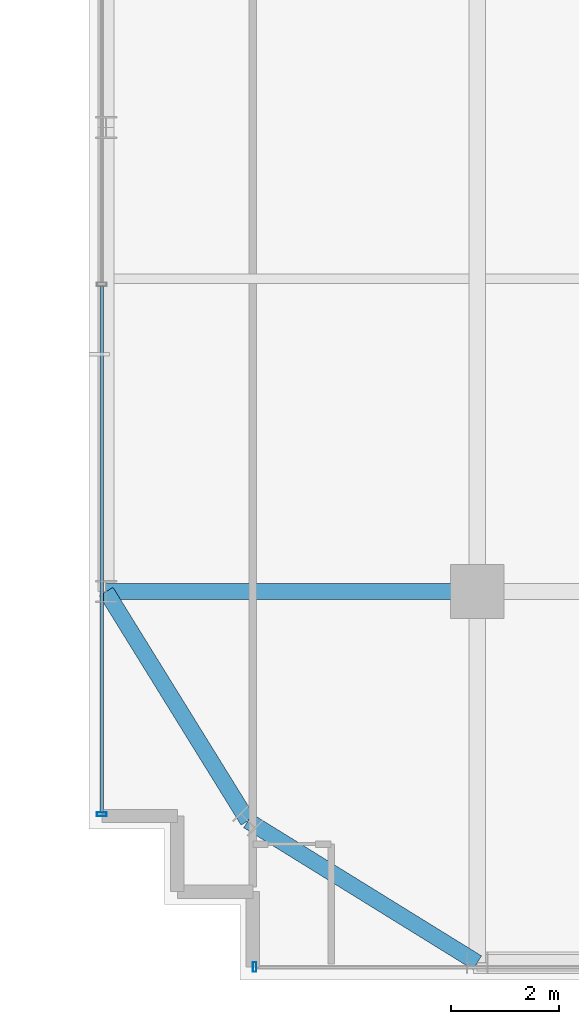
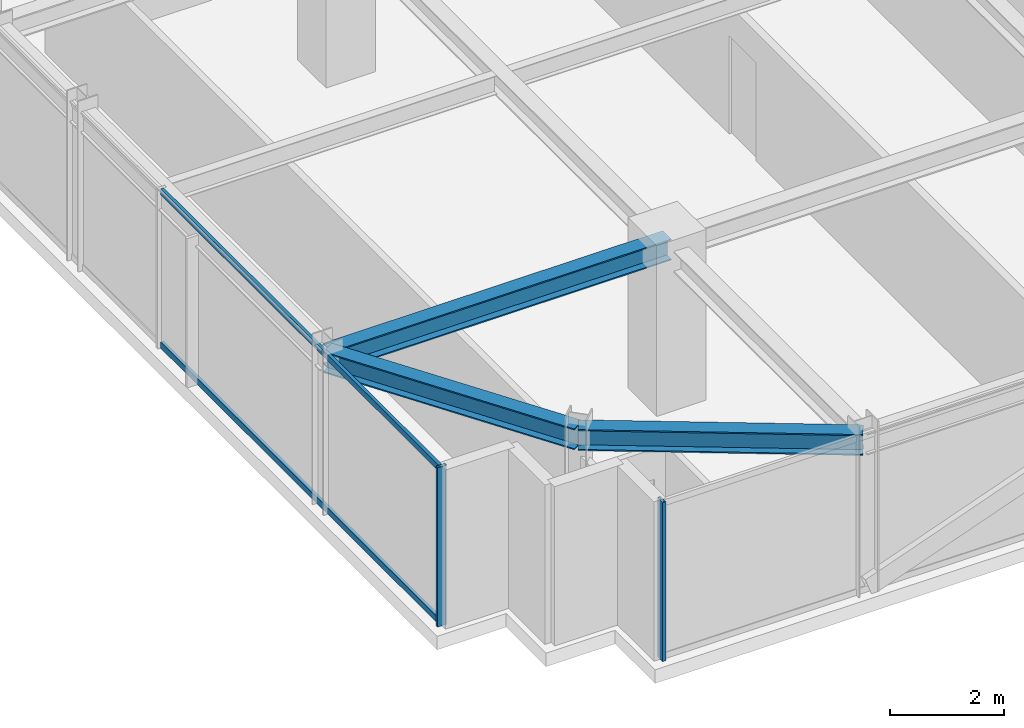
# One storey, part 4 of 36: 4 members, 3 beams, 2 elements without a shape of their own.
"""IFC4 building model written with IfcOpenShell, lengths in metres."""

from ifc_helpers import new_model, si_unit, direction, frame, origin, origin_2d, place, context, subcontext, project, spatial, hollow_rectangle, i_section, extrude, source, transform, mapped, material, material_profile, profile_set, type_object, element, aggregate, save


model = new_model("IFC4")

# Units and contexts
model_context = context("Model", 3, precision=1e-05, world=origin(), true_north=direction((0.0, 1.0)))
body_context = subcontext(model_context, "Body", "Model", "MODEL_VIEW")
ifc_project = project(units=[si_unit("LENGTHUNIT", "METRE"), si_unit("AREAUNIT", "SQUARE_METRE"), si_unit("VOLUMEUNIT", "CUBIC_METRE"), si_unit("PLANEANGLEUNIT", "RADIAN"), si_unit("MASSUNIT", "GRAM", prefix="KILO")], contexts=[model_context])

# Site, building, storey
site_placement = place(None, origin())
site = spatial("IfcSite", under=ifc_project, at=site_placement, CompositionType="ELEMENT")
building_placement = place(site_placement, origin())
building = spatial("IfcBuilding", under=site, at=building_placement, Name="Nahalor Promenade Grand Hotel", CompositionType="ELEMENT")
storey_placement = place(building_placement, frame((0.0, 0.0, 241.89990234375)))
storey = spatial("IfcBuildingStorey", under=building, at=storey_placement, Name="L62", CompositionType="ELEMENT", Elevation=241.89990234375)

# Beams
ifc_material_1 = material(Name="Steel S355JR", Category="steel")
ifc_material_profile_1 = material_profile(ifc_material_1, i_section(OverallWidth=0.3, OverallDepth=0.45, WebThickness=0.014, FlangeThickness=0.026, at=origin_2d()), Name="HEB 450")
ifc_profile_set_1 = profile_set([ifc_material_profile_1], Name="Steel S355JR")
beam_type_1 = type_object("IfcBeamType", Name="Beam-Spandrel-HEB450", PredefinedType="SPANDREL", material=ifc_profile_set_1)
shared_shape_1 = source(origin(), body_context, "Body", "SweptSolid", [
    extrude(i_section(OverallWidth=0.3, OverallDepth=0.45, WebThickness=0.014, FlangeThickness=0.026, at=origin_2d()), origin(), (0.0, 0.0, 1.0), 4.997802734375),
])
for number, where, z_axis, x_axis, name in (
    (1, (-17.0, -23.8798828125, 3.18505859375), (-0.850360908404, 0.526199891161, 0.0), (-0.526199891161, -0.850360908404, 0.0), "BM-L62-SPC-SW-1"),
    (2, (-21.25, -21.25, 3.18505859375), (-0.526199891161, 0.850360908404, 0.0), (-0.850360908404, -0.526199891161, 0.0), "BM-L62-SPC-SW-2"),
):
    element("IfcBeam", number, at=place(storey_placement, frame(where, z_axis=z_axis, x_axis=x_axis)), inside=storey, type_object=beam_type_1, Name=name, PredefinedType="SPANDREL", context=body_context, shape_type="MappedRepresentation", body=[
        mapped(shared_shape_1, transform((0.0, 0.0, 0.0), scale=1.0)),
    ])
ifc_material_profile_2 = material_profile(ifc_material_1, i_section(OverallWidth=0.3, OverallDepth=0.45, WebThickness=0.014, FlangeThickness=0.026, at=origin_2d()), Name="HEB 450")
ifc_profile_set_2 = profile_set([ifc_material_profile_2], Name="Steel S355JR")
beam_type_2 = type_object("IfcBeamType", Name="Beam-Girder-HEB450", PredefinedType="BEAM", material=ifc_profile_set_2)
shared_shape_2 = source(origin(), body_context, "Body", "SweptSolid", [
    extrude(i_section(OverallWidth=0.3, OverallDepth=0.45, WebThickness=0.014, FlangeThickness=0.026, at=origin_2d()), origin(), (0.0, 0.0, 1.0), 6.8798828125),
])
beam_placement = place(storey_placement, frame((-23.8798828125, -17.0, 3.18505859375), z_axis=(1.0, 0.0, 0.0), x_axis=(0.0, 1.0, 0.0)))
element("IfcBeam", 3, at=beam_placement, inside=storey, type_object=beam_type_2, Name="BM-L62-GX-0-0", PredefinedType="BEAM", context=body_context, shape_type="MappedRepresentation", body=[
    mapped(shared_shape_2, transform((0.0, 0.0, 0.0), scale=1.0)),
])

# Curtain wall, member
ifc_material_2 = material(Name="Anodised Bronze Aluminium EN AW-6063 T6", Category="aluminium")
curtain_wall_type = type_object("IfcCurtainWallType", Name="CW2 Typical Hotel Flush Bronze Unitised Curtain Wall", PredefinedType="USERDEFINED", material=ifc_material_2)
curtain_wall_1_placement = place(storey_placement, origin())
curtain_wall_1 = element("IfcCurtainWall", 4, at=curtain_wall_1_placement, inside=storey, type_object=curtain_wall_type, Name="L62 Curtain Wall CW-L62-S-1", ObjectType="UNITISED_CURTAIN_WALL", PredefinedType="USERDEFINED")
ifc_material_profile_3 = material_profile(ifc_material_2, hollow_rectangle(XDim=0.065, YDim=0.18, WallThickness=0.004, at=origin_2d()), Name="CWM 65x180x4")
ifc_profile_set_3 = profile_set([ifc_material_profile_3], Name="Anodised Bronze Aluminium EN AW-6063 T6")
member_type_1 = type_object("IfcMemberType", Name="CWM2 Typical Bronze Mullion 65x180", PredefinedType="MULLION", material=ifc_profile_set_3)
shared_shape_3 = source(origin(), body_context, "Body", "SweptSolid", [
    extrude(hollow_rectangle(XDim=0.065, YDim=0.18, WallThickness=0.004, at=origin_2d()), origin(), (0.0, 0.0, 1.0), 3.41015625),
])
member_1_placement = place(storey_placement, frame((-21.12744140625, -23.9599609375, 0.0), z_axis=(0.0, 0.0, 1.0), x_axis=(1.0, 0.0, 0.0)))
member_1 = element("IfcMember", 5, at=member_1_placement, type_object=member_type_1, Name="CW-L62-S-1 Mullion 0", PredefinedType="MULLION", context=body_context, shape_type="MappedRepresentation", body=[
    mapped(shared_shape_3, transform((0.0, 0.0, 0.0), scale=1.0)),
])
aggregate(curtain_wall_1, [member_1])

# Curtain wall, members
curtain_wall_2_placement = place(storey_placement, origin())
curtain_wall_2 = element("IfcCurtainWall", 6, at=curtain_wall_2_placement, inside=storey, type_object=curtain_wall_type, Name="L62 Curtain Wall CW-L62-W-1", ObjectType="UNITISED_CURTAIN_WALL", PredefinedType="USERDEFINED")
member_2_placement = place(storey_placement, frame((-23.9599609375, -21.12744140625, 0.0), z_axis=(0.0, 0.0, 1.0), x_axis=(0.0, 1.0, 0.0)))
member_2 = element("IfcMember", 7, at=member_2_placement, type_object=member_type_1, Name="CW-L62-W-1 Mullion 0", PredefinedType="MULLION", context=body_context, shape_type="MappedRepresentation", body=[
    mapped(shared_shape_3, transform((0.0, 0.0, 0.0), scale=1.0)),
])
ifc_material_profile_4 = material_profile(ifc_material_2, hollow_rectangle(XDim=0.065, YDim=0.13, WallThickness=0.004, at=origin_2d()), Name="CWT 65x130x4")
ifc_profile_set_4 = profile_set([ifc_material_profile_4], Name="Anodised Bronze Aluminium EN AW-6063 T6")
member_type_2 = type_object("IfcMemberType", Name="CWT2 Typical Bronze Transom 65x130", PredefinedType="USERDEFINED", material=ifc_profile_set_4)
shared_shape_4 = source(origin(), body_context, "Body", "SweptSolid", [
    extrude(hollow_rectangle(XDim=0.065, YDim=0.13, WallThickness=0.004, at=origin_2d()), origin(), (0.0, 0.0, 1.0), 9.755859375),
])
member_3_placement = place(storey_placement, frame((-23.9599609375, -21.094970703125, 0.065185546875), z_axis=(0.0, 1.0, 0.0), x_axis=(-1.0, 0.0, 0.0)))
member_3 = element("IfcMember", 8, at=member_3_placement, type_object=member_type_2, Name="CW-L62-W-1 Transom 0-0", ObjectType="TRANSOM", PredefinedType="USERDEFINED", context=body_context, shape_type="MappedRepresentation", body=[
    mapped(shared_shape_4, transform((0.0, 0.0, 0.0), scale=1.0)),
])
member_4_placement = place(storey_placement, frame((-23.9599609375, -21.094970703125, 3.34521484375), z_axis=(0.0, 1.0, 0.0), x_axis=(-1.0, 0.0, 0.0)))
member_4 = element("IfcMember", 9, at=member_4_placement, type_object=member_type_2, Name="CW-L62-W-1 Transom 0-1", ObjectType="TRANSOM", PredefinedType="USERDEFINED", context=body_context, shape_type="MappedRepresentation", body=[
    mapped(shared_shape_4, transform((0.0, 0.0, 0.0), scale=1.0)),
])
aggregate(curtain_wall_2, [member_2, member_3, member_4])

save(model, "model.ifc")
